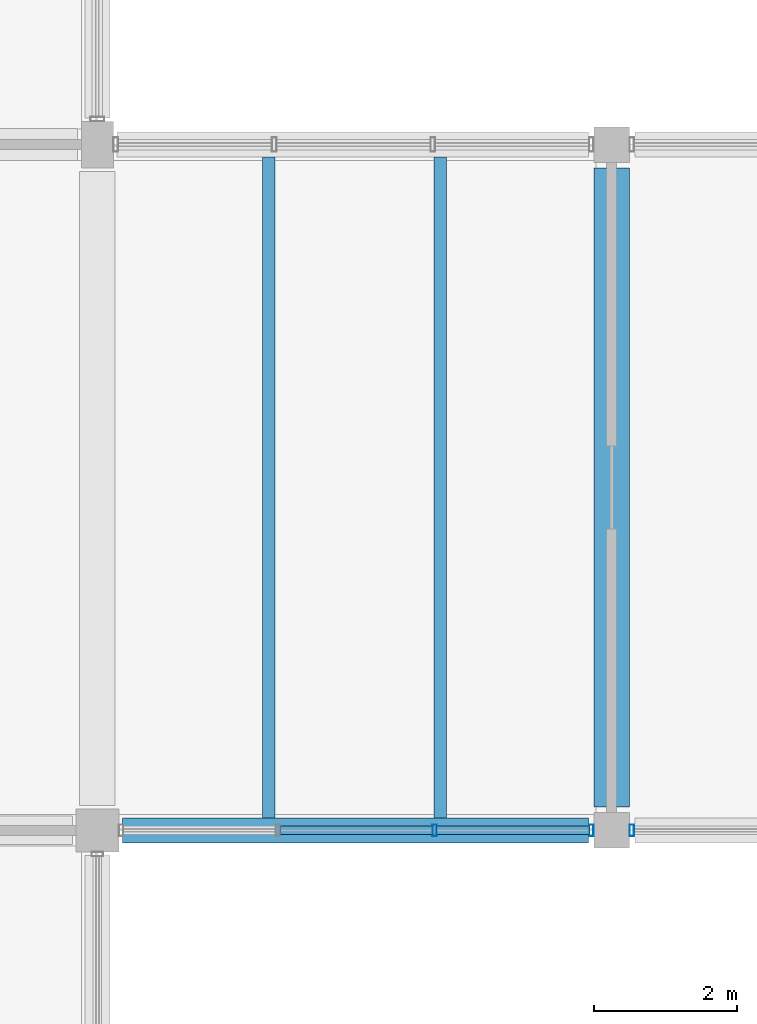
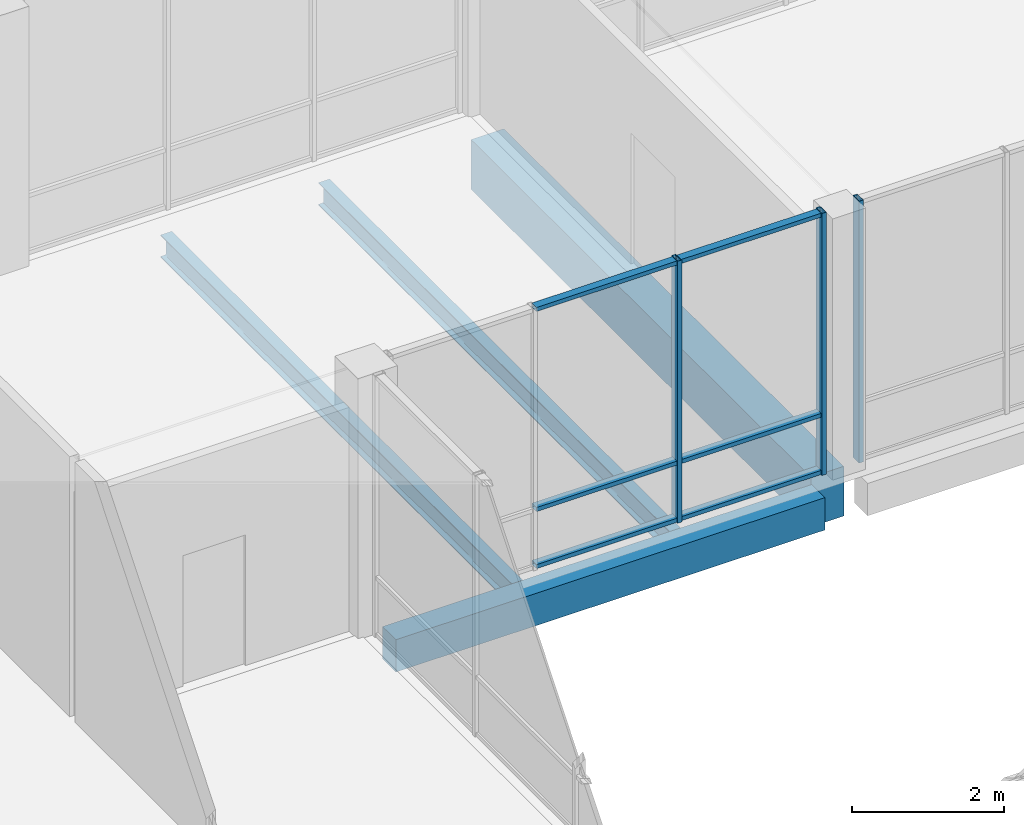
# One storey, part 17 of 104: 9 members, 4 beams, 2 elements without a shape of their own.
"""IFC4 building model written with IfcOpenShell, lengths in metres."""

from ifc_helpers import new_model, si_unit, direction, frame, origin, origin_2d, place, context, subcontext, project, spatial, rectangle, hollow_rectangle, i_section, extrude, material, material_profile, profile_set, type_object, element, aggregate, save


model = new_model("IFC4")

# Units and contexts
model_context = context("Model", 3, precision=1e-05, world=origin(), true_north=direction((0.0, 1.0)))
body_context = subcontext(model_context, "Body", "Model", "MODEL_VIEW")
ifc_project = project(units=[si_unit("LENGTHUNIT", "METRE"), si_unit("AREAUNIT", "SQUARE_METRE"), si_unit("VOLUMEUNIT", "CUBIC_METRE"), si_unit("PLANEANGLEUNIT", "RADIAN"), si_unit("MASSUNIT", "GRAM", prefix="KILO")], contexts=[model_context])

# Site, building, storey
site_placement = place(None, origin())
site = spatial("IfcSite", under=ifc_project, at=site_placement, CompositionType="ELEMENT")
building_placement = place(site_placement, origin())
building = spatial("IfcBuilding", under=site, at=building_placement, Name="Hawrajan Terrace Health Centre", CompositionType="ELEMENT")
storey_placement = place(building_placement, origin())
storey = spatial("IfcBuildingStorey", under=building, at=storey_placement, Name="L00", CompositionType="ELEMENT", Elevation=0.0)

# Curtain wall, members
ifc_material_1 = material(Name="Anodized bronze aluminium and low-E solar glazing", Category="aluminium")
curtain_wall_type_1 = type_object("IfcCurtainWallType", Name="CW_Court_SeriesB3", PredefinedType="USERDEFINED", material=ifc_material_1)
curtain_wall_1_placement = place(storey_placement, origin())
curtain_wall_1 = element("IfcCurtainWall", 1, at=curtain_wall_1_placement, inside=storey, type_object=curtain_wall_type_1, Name="Curtain wall CW-L00-006", ObjectType="UNITISED CURTAIN WALL", PredefinedType="USERDEFINED")
ifc_material_2 = material(Name="Anodized bronze aluminium 6063-T6", Category="aluminium")
ifc_material_profile_1 = material_profile(ifc_material_2, hollow_rectangle(XDim=0.06494140625, YDim=0.159912109375, WallThickness=0.00390625, at=origin_2d()), Name="CW MUL 65x160")
ifc_profile_set_1 = profile_set([ifc_material_profile_1], Name="Anodized bronze aluminium 6063-T6")
member_type_1 = type_object("IfcMemberType", Name="CWMullion_65x160", PredefinedType="MULLION", material=ifc_profile_set_1)
member_1_placement = place(storey_placement, frame((30.922607421875, 27.199951171875, -0.0048828125), z_axis=(0.0, 0.0, 1.0), x_axis=(1.0, 0.0, 0.0)))
member_1 = element("IfcMember", 2, at=member_1_placement, type_object=member_type_1, Name="Mullion CW-L00-006-M3", PredefinedType="MULLION", context=body_context, shape_type="SweptSolid", body=[
    extrude(hollow_rectangle(XDim=0.06494140625, YDim=0.159912109375, WallThickness=0.00390625, at=origin_2d()), origin(), (0.0, 0.0, 1.0), 4.2099609375),
])
member_2_placement = place(storey_placement, frame((33.117431640625, 27.199951171875, -0.0048828125), z_axis=(0.0, 0.0, 1.0), x_axis=(1.0, 0.0, 0.0)))
member_2 = element("IfcMember", 3, at=member_2_placement, type_object=member_type_1, Name="Mullion CW-L00-006-M4", PredefinedType="MULLION", context=body_context, shape_type="SweptSolid", body=[
    extrude(hollow_rectangle(XDim=0.06494140625, YDim=0.159912109375, WallThickness=0.00390625, at=origin_2d()), origin(), (0.0, 0.0, 1.0), 4.2099609375),
])

# Curtain wall, member
curtain_wall_type_2 = type_object("IfcCurtainWallType", Name="CW_Pavilion_SeriesE1", PredefinedType="USERDEFINED", material=ifc_material_1)
curtain_wall_2_placement = place(storey_placement, origin())
curtain_wall_2 = element("IfcCurtainWall", 4, at=curtain_wall_2_placement, inside=storey, type_object=curtain_wall_type_2, Name="Curtain wall CW-L00-012", ObjectType="UNITISED CURTAIN WALL", PredefinedType="USERDEFINED")
member_3_placement = place(storey_placement, frame((33.6826171875, 27.199951171875, -0.0048828125), z_axis=(0.0, 0.0, 1.0), x_axis=(1.0, 0.0, 0.0)))
member_3 = element("IfcMember", 5, at=member_3_placement, type_object=member_type_1, Name="Mullion CW-L00-012-M1", PredefinedType="MULLION", context=body_context, shape_type="SweptSolid", body=[
    extrude(hollow_rectangle(XDim=0.06494140625, YDim=0.159912109375, WallThickness=0.00390625, at=origin_2d()), origin(), (0.0, 0.0, 1.0), 4.2099609375),
])
aggregate(curtain_wall_2, [member_3])

# Member
ifc_material_profile_2 = material_profile(ifc_material_2, hollow_rectangle(XDim=0.06494140625, YDim=0.1201171875, WallThickness=0.00341796875, at=origin_2d()), Name="CW TRN 65x120")
ifc_profile_set_2 = profile_set([ifc_material_profile_2], Name="Anodized bronze aluminium 6063-T6")
member_type_2 = type_object("IfcMemberType", Name="CWTransom_65x120", PredefinedType="USERDEFINED", material=ifc_profile_set_2)
member_4_placement = place(storey_placement, frame((28.75390625, 27.199951171875, 0.032470703125), z_axis=(1.0, 0.0, 0.0), x_axis=(0.0, 0.0, 1.0)))
member_4 = element("IfcMember", 6, at=member_4_placement, type_object=member_type_2, Name="Transom CW-L00-006-T2-1", ObjectType="TRANSOM", PredefinedType="USERDEFINED", context=body_context, shape_type="SweptSolid", body=[
    extrude(hollow_rectangle(XDim=0.06494140625, YDim=0.1201171875, WallThickness=0.00341796875, at=origin_2d()), origin(), (0.0, 0.0, 1.0), 2.14208984375),
])

member_5_placement = place(storey_placement, frame((28.75390625, 27.199951171875, 0.949951171875), z_axis=(1.0, 0.0, 0.0), x_axis=(0.0, 0.0, 1.0)))
member_5 = element("IfcMember", 7, at=member_5_placement, type_object=member_type_2, Name="Transom CW-L00-006-T2-2", ObjectType="TRANSOM", PredefinedType="USERDEFINED", context=body_context, shape_type="SweptSolid", body=[
    extrude(hollow_rectangle(XDim=0.06494140625, YDim=0.1201171875, WallThickness=0.00341796875, at=origin_2d()), origin(), (0.0, 0.0, 1.0), 2.14208984375),
])

member_6_placement = place(storey_placement, frame((28.75390625, 27.199951171875, 4.16748046875), z_axis=(1.0, 0.0, 0.0), x_axis=(0.0, 0.0, 1.0)))
member_6 = element("IfcMember", 8, at=member_6_placement, type_object=member_type_2, Name="Transom CW-L00-006-T2-3", ObjectType="TRANSOM", PredefinedType="USERDEFINED", context=body_context, shape_type="SweptSolid", body=[
    extrude(hollow_rectangle(XDim=0.06494140625, YDim=0.1201171875, WallThickness=0.00341796875, at=origin_2d()), origin(), (0.0, 0.0, 1.0), 2.14208984375),
])

member_7_placement = place(storey_placement, frame((30.948974609375, 27.199951171875, 0.032470703125), z_axis=(1.0, 0.0, 0.0), x_axis=(0.0, 0.0, 1.0)))
member_7 = element("IfcMember", 9, at=member_7_placement, type_object=member_type_2, Name="Transom CW-L00-006-T3-1", ObjectType="TRANSOM", PredefinedType="USERDEFINED", context=body_context, shape_type="SweptSolid", body=[
    extrude(hollow_rectangle(XDim=0.06494140625, YDim=0.1201171875, WallThickness=0.00341796875, at=origin_2d()), origin(), (0.0, 0.0, 1.0), 2.14208984375),
])

member_8_placement = place(storey_placement, frame((30.948974609375, 27.199951171875, 0.949951171875), z_axis=(1.0, 0.0, 0.0), x_axis=(0.0, 0.0, 1.0)))
member_8 = element("IfcMember", 10, at=member_8_placement, type_object=member_type_2, Name="Transom CW-L00-006-T3-2", ObjectType="TRANSOM", PredefinedType="USERDEFINED", context=body_context, shape_type="SweptSolid", body=[
    extrude(hollow_rectangle(XDim=0.06494140625, YDim=0.1201171875, WallThickness=0.00341796875, at=origin_2d()), origin(), (0.0, 0.0, 1.0), 2.14208984375),
])

member_9_placement = place(storey_placement, frame((30.948974609375, 27.199951171875, 4.16748046875), z_axis=(1.0, 0.0, 0.0), x_axis=(0.0, 0.0, 1.0)))
member_9 = element("IfcMember", 11, at=member_9_placement, type_object=member_type_2, Name="Transom CW-L00-006-T3-3", ObjectType="TRANSOM", PredefinedType="USERDEFINED", context=body_context, shape_type="SweptSolid", body=[
    extrude(hollow_rectangle(XDim=0.06494140625, YDim=0.1201171875, WallThickness=0.00341796875, at=origin_2d()), origin(), (0.0, 0.0, 1.0), 2.14208984375),
])

aggregate(curtain_wall_1, [member_1, member_2, member_4, member_5, member_6, member_7, member_8, member_9])

# Beams
ifc_material_3 = material(Name="Concrete C40/50", Category="concrete")
ifc_material_profile_3 = material_profile(ifc_material_3, rectangle(XDim=0.5, YDim=0.800048828125, at=origin_2d()), Name="RC BM 500x800")
ifc_profile_set_3 = profile_set([ifc_material_profile_3], Name="Concrete C40/50")
beam_type_1 = type_object("IfcBeamType", Name="RCGirder_500x800", PredefinedType="BEAM", material=ifc_profile_set_3)
beam_1_placement = place(storey_placement, frame((33.39990234375, 27.52490234375, -0.699951171875), z_axis=(0.0, 1.0, 0.0), x_axis=(-1.0, 0.0, 0.0)))
element("IfcBeam", 12, at=beam_1_placement, inside=storey, type_object=beam_type_1, Name="Beam BM-Y-L00-W-X05-4", PredefinedType="BEAM", context=body_context, shape_type="SweptSolid", body=[
    extrude(rectangle(XDim=0.5, YDim=0.800048828125, at=origin_2d()), origin(), (0.0, 0.0, 1.0), 8.9501953125),
])
ifc_material_profile_4 = material_profile(ifc_material_3, rectangle(XDim=0.35009765625, YDim=0.52001953125, at=origin_2d()), Name="RC SP 350x520")
ifc_profile_set_4 = profile_set([ifc_material_profile_4], Name="Concrete C40/50")
beam_type_2 = type_object("IfcBeamType", Name="RCSpandrel_350x520", PredefinedType="SPANDREL", material=ifc_profile_set_4)
beam_2_placement = place(storey_placement, frame((26.550048828125, 27.199951171875, -0.56005859375), z_axis=(1.0, 0.0, 0.0), x_axis=(0.0, 1.0, 0.0)))
element("IfcBeam", 13, at=beam_2_placement, inside=storey, type_object=beam_type_2, Name="Beam BM-X-L00-W-04-Y4", PredefinedType="SPANDREL", context=body_context, shape_type="SweptSolid", body=[
    extrude(rectangle(XDim=0.35009765625, YDim=0.52001953125, at=origin_2d()), origin(), (0.0, 0.0, 1.0), 6.52490234375),
])
ifc_material_4 = material(Name="Steel S355", Category="steel")
ifc_material_profile_5 = material_profile(ifc_material_4, i_section(OverallWidth=0.169921875, OverallDepth=0.360107421875, WebThickness=0.008056640625, FlangeThickness=0.0126953125, FilletRadius=0.01806640625, at=origin_2d()), Name="IPE 360")
ifc_profile_set_5 = profile_set([ifc_material_profile_5], Name="Steel S355")
beam_type_3 = type_object("IfcBeamType", Name="SteelBeam_IPE360", PredefinedType="BEAM", material=ifc_profile_set_5)
for number, where, z_axis, x_axis, name in (
    (14, (28.60009765625, 27.375, -0.47998046875), (0.0, 1.0, 0.0), (-1.0, 0.0, 0.0), "Secondary joist JST-L00-W-04-4-1"),
    (15, (31.0, 27.375, -0.47998046875), (0.0, 1.0, 0.0), (-1.0, 0.0, 0.0), "Secondary joist JST-L00-W-04-4-2"),
):
    element("IfcBeam", number, at=place(storey_placement, frame(where, z_axis=z_axis, x_axis=x_axis)), inside=storey, type_object=beam_type_3, Name=name, PredefinedType="BEAM", context=body_context, shape_type="SweptSolid", body=[
        extrude(i_section(OverallWidth=0.169921875, OverallDepth=0.360107421875, WebThickness=0.008056640625, FlangeThickness=0.0126953125, FilletRadius=0.01806640625, at=origin_2d()), origin(), (0.0, 0.0, 1.0), 9.25),
    ])

save(model, "model.ifc")
